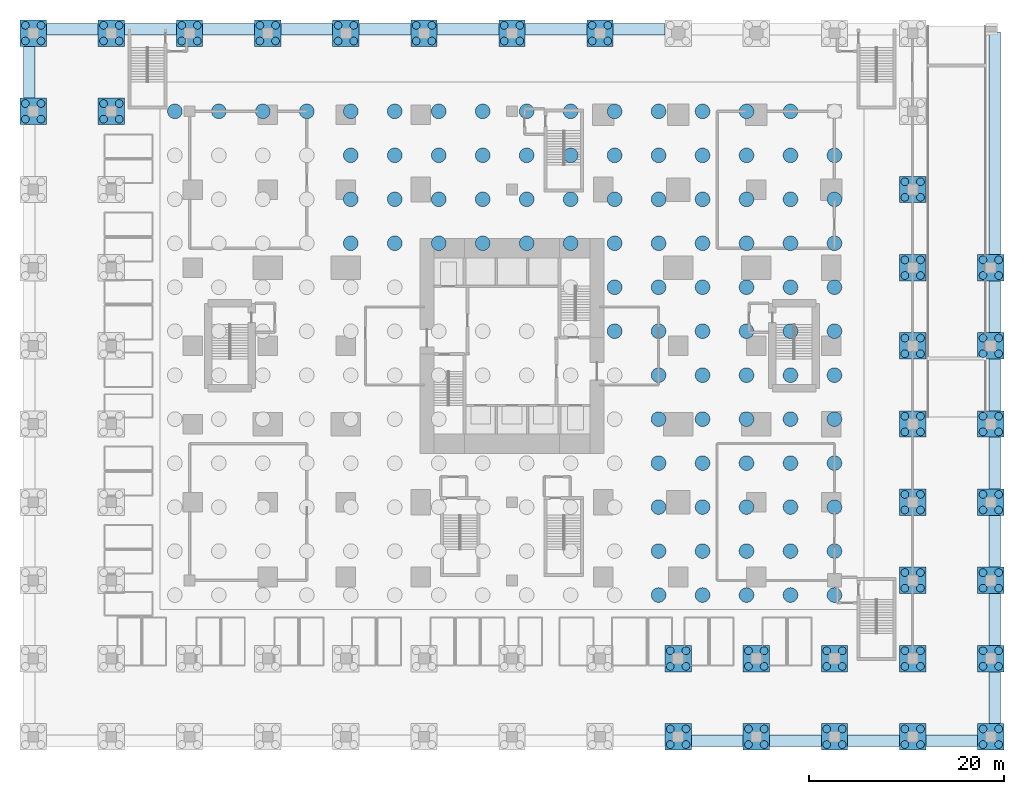
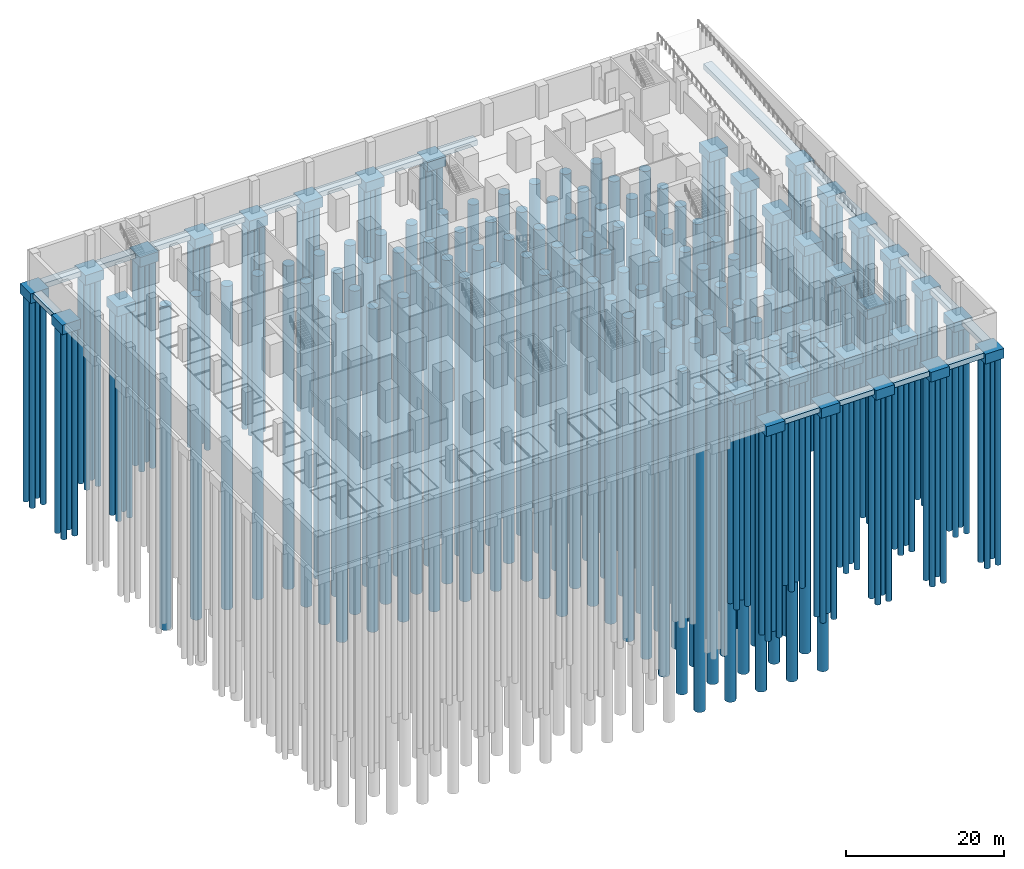
# One storey, part 2 of 17: 217 piles, 51 footings.
"""IFC4 building model written with IfcOpenShell, lengths in metres."""

from ifc_helpers import new_model, si_unit, direction, frame, frame_2d, origin, origin_2d, place, context, subcontext, project, spatial, rectangle, circle, extrude, material, material_profile, profile_set, type_object, element, save


model = new_model("IFC4")

# Units and contexts
model_context = context("Model", 3, precision=1e-05, world=origin(), true_north=direction((0.0, 1.0)))
body_context = subcontext(model_context, "Body", "Model", "MODEL_VIEW")
ifc_project = project(units=[si_unit("LENGTHUNIT", "METRE"), si_unit("AREAUNIT", "SQUARE_METRE"), si_unit("VOLUMEUNIT", "CUBIC_METRE"), si_unit("PLANEANGLEUNIT", "RADIAN"), si_unit("MASSUNIT", "GRAM", prefix="KILO")], contexts=[model_context])

# Site, building, storey
site_placement = place(None, origin())
site = spatial("IfcSite", under=ifc_project, at=site_placement, CompositionType="ELEMENT")
building_placement = place(site_placement, origin())
building = spatial("IfcBuilding", under=site, at=building_placement, Name="Cleftline Residences", CompositionType="ELEMENT")
storey_placement = place(building_placement, frame((0.0, 0.0, -5.0)))
storey = spatial("IfcBuildingStorey", under=building, at=storey_placement, Name="L-01", CompositionType="ELEMENT", Elevation=-5.0)

# Piles
ifc_material_1 = material(Name="Concrete B40", Category="concrete")
ifc_material_profile_1 = material_profile(ifc_material_1, circle(Radius=0.75, at=origin_2d()))
ifc_profile_set_1 = profile_set([ifc_material_profile_1], Name="Concrete B40")
pile_type_1 = type_object("IfcPileType", Name="BORED PILE 1500", PredefinedType="BORED", material=ifc_profile_set_1)
for number, where, z_axis, x_axis, name in (
    (1, (48.0, -1.5, -3.39990234375), (0.0, 0.0, -1.0), (1.0, 0.0, 0.0), "Raft pile"),
    (2, (52.5, -1.5, -3.39990234375), (0.0, 0.0, -1.0), (1.0, 0.0, 0.0), "Raft pile"),
    (3, (57.0, -1.5, -3.39990234375), (0.0, 0.0, -1.0), (1.0, 0.0, 0.0), "Raft pile"),
    (4, (61.5, -1.5, -3.39990234375), (0.0, 0.0, -1.0), (1.0, 0.0, 0.0), "Raft pile"),
    (5, (66.0, -1.5, -3.39990234375), (0.0, 0.0, -1.0), (1.0, 0.0, 0.0), "Raft pile"),
    (6, (48.0, 3.0, -3.39990234375), (0.0, 0.0, -1.0), (1.0, 0.0, 0.0), "Raft pile"),
    (7, (52.5, 3.0, -3.39990234375), (0.0, 0.0, -1.0), (1.0, 0.0, 0.0), "Raft pile"),
    (8, (57.0, 3.0, -3.39990234375), (0.0, 0.0, -1.0), (1.0, 0.0, 0.0), "Raft pile"),
    (9, (61.5, 3.0, -3.39990234375), (0.0, 0.0, -1.0), (1.0, 0.0, 0.0), "Raft pile"),
    (10, (66.0, 3.0, -3.39990234375), (0.0, 0.0, -1.0), (1.0, 0.0, 0.0), "Raft pile"),
    (11, (48.0, 7.5, -3.39990234375), (0.0, 0.0, -1.0), (1.0, 0.0, 0.0), "Raft pile"),
    (12, (52.5, 7.5, -3.39990234375), (0.0, 0.0, -1.0), (1.0, 0.0, 0.0), "Raft pile"),
    (13, (57.0, 7.5, -3.39990234375), (0.0, 0.0, -1.0), (1.0, 0.0, 0.0), "Raft pile"),
    (14, (61.5, 7.5, -3.39990234375), (0.0, 0.0, -1.0), (1.0, 0.0, 0.0), "Raft pile"),
    (15, (66.0, 7.5, -3.39990234375), (0.0, 0.0, -1.0), (1.0, 0.0, 0.0), "Raft pile"),
    (16, (48.0, 12.0, -3.39990234375), (0.0, 0.0, -1.0), (1.0, 0.0, 0.0), "Raft pile"),
    (17, (52.5, 12.0, -3.39990234375), (0.0, 0.0, -1.0), (1.0, 0.0, 0.0), "Raft pile"),
    (18, (57.0, 12.0, -3.39990234375), (0.0, 0.0, -1.0), (1.0, 0.0, 0.0), "Raft pile"),
    (19, (61.5, 12.0, -3.39990234375), (0.0, 0.0, -1.0), (1.0, 0.0, 0.0), "Raft pile"),
    (20, (66.0, 12.0, -3.39990234375), (0.0, 0.0, -1.0), (1.0, 0.0, 0.0), "Raft pile"),
    (21, (48.0, 16.5, -3.39990234375), (0.0, 0.0, -1.0), (1.0, 0.0, 0.0), "Raft pile"),
    (22, (52.5, 16.5, -3.39990234375), (0.0, 0.0, -1.0), (1.0, 0.0, 0.0), "Raft pile"),
    (23, (57.0, 16.5, -3.39990234375), (0.0, 0.0, -1.0), (1.0, 0.0, 0.0), "Raft pile"),
    (24, (61.5, 16.5, -3.39990234375), (0.0, 0.0, -1.0), (1.0, 0.0, 0.0), "Raft pile"),
    (25, (66.0, 16.5, -3.39990234375), (0.0, 0.0, -1.0), (1.0, 0.0, 0.0), "Raft pile"),
    (26, (48.0, 21.0, -3.39990234375), (0.0, 0.0, -1.0), (1.0, 0.0, 0.0), "Raft pile"),
    (27, (52.5, 21.0, -3.39990234375), (0.0, 0.0, -1.0), (1.0, 0.0, 0.0), "Raft pile"),
    (28, (57.0, 21.0, -3.39990234375), (0.0, 0.0, -1.0), (1.0, 0.0, 0.0), "Raft pile"),
    (29, (61.5, 21.0, -3.39990234375), (0.0, 0.0, -1.0), (1.0, 0.0, 0.0), "Raft pile"),
    (30, (66.0, 21.0, -3.39990234375), (0.0, 0.0, -1.0), (1.0, 0.0, 0.0), "Raft pile"),
    (31, (43.5, 25.5, -3.39990234375), (0.0, 0.0, -1.0), (1.0, 0.0, 0.0), "Raft pile"),
    (32, (48.0, 25.5, -3.39990234375), (0.0, 0.0, -1.0), (1.0, 0.0, 0.0), "Raft pile"),
    (33, (52.5, 25.5, -3.39990234375), (0.0, 0.0, -1.0), (1.0, 0.0, 0.0), "Raft pile"),
    (34, (57.0, 25.5, -3.39990234375), (0.0, 0.0, -1.0), (1.0, 0.0, 0.0), "Raft pile"),
    (35, (61.5, 25.5, -3.39990234375), (0.0, 0.0, -1.0), (1.0, 0.0, 0.0), "Raft pile"),
    (36, (66.0, 25.5, -3.39990234375), (0.0, 0.0, -1.0), (1.0, 0.0, 0.0), "Raft pile"),
    (37, (43.5, 30.0, -3.39990234375), (0.0, 0.0, -1.0), (1.0, 0.0, 0.0), "Raft pile"),
    (38, (48.0, 30.0, -3.39990234375), (0.0, 0.0, -1.0), (1.0, 0.0, 0.0), "Raft pile"),
    (39, (52.5, 30.0, -3.39990234375), (0.0, 0.0, -1.0), (1.0, 0.0, 0.0), "Raft pile"),
    (40, (57.0, 30.0, -3.39990234375), (0.0, 0.0, -1.0), (1.0, 0.0, 0.0), "Raft pile"),
    (41, (61.5, 30.0, -3.39990234375), (0.0, 0.0, -1.0), (1.0, 0.0, 0.0), "Raft pile"),
    (42, (66.0, 30.0, -3.39990234375), (0.0, 0.0, -1.0), (1.0, 0.0, 0.0), "Raft pile"),
    (43, (16.5, 34.5, -3.39990234375), (0.0, 0.0, -1.0), (1.0, 0.0, 0.0), "Raft pile"),
    (44, (21.0, 34.5, -3.39990234375), (0.0, 0.0, -1.0), (1.0, 0.0, 0.0), "Raft pile"),
    (45, (25.5, 34.5, -3.39990234375), (0.0, 0.0, -1.0), (1.0, 0.0, 0.0), "Raft pile"),
    (46, (30.0, 34.5, -3.39990234375), (0.0, 0.0, -1.0), (1.0, 0.0, 0.0), "Raft pile"),
    (47, (34.5, 34.5, -3.39990234375), (0.0, 0.0, -1.0), (1.0, 0.0, 0.0), "Raft pile"),
    (48, (39.0, 34.5, -3.39990234375), (0.0, 0.0, -1.0), (1.0, 0.0, 0.0), "Raft pile"),
    (49, (43.5, 34.5, -3.39990234375), (0.0, 0.0, -1.0), (1.0, 0.0, 0.0), "Raft pile"),
    (50, (48.0, 34.5, -3.39990234375), (0.0, 0.0, -1.0), (1.0, 0.0, 0.0), "Raft pile"),
    (51, (52.5, 34.5, -3.39990234375), (0.0, 0.0, -1.0), (1.0, 0.0, 0.0), "Raft pile"),
    (52, (57.0, 34.5, -3.39990234375), (0.0, 0.0, -1.0), (1.0, 0.0, 0.0), "Raft pile"),
    (53, (61.5, 34.5, -3.39990234375), (0.0, 0.0, -1.0), (1.0, 0.0, 0.0), "Raft pile"),
    (54, (66.0, 34.5, -3.39990234375), (0.0, 0.0, -1.0), (1.0, 0.0, 0.0), "Raft pile"),
    (55, (16.5, 39.0, -3.39990234375), (0.0, 0.0, -1.0), (1.0, 0.0, 0.0), "Raft pile"),
    (56, (21.0, 39.0, -3.39990234375), (0.0, 0.0, -1.0), (1.0, 0.0, 0.0), "Raft pile"),
    (57, (25.5, 39.0, -3.39990234375), (0.0, 0.0, -1.0), (1.0, 0.0, 0.0), "Raft pile"),
    (58, (30.0, 39.0, -3.39990234375), (0.0, 0.0, -1.0), (1.0, 0.0, 0.0), "Raft pile"),
    (59, (34.5, 39.0, -3.39990234375), (0.0, 0.0, -1.0), (1.0, 0.0, 0.0), "Raft pile"),
    (60, (39.0, 39.0, -3.39990234375), (0.0, 0.0, -1.0), (1.0, 0.0, 0.0), "Raft pile"),
    (61, (43.5, 39.0, -3.39990234375), (0.0, 0.0, -1.0), (1.0, 0.0, 0.0), "Raft pile"),
    (62, (48.0, 39.0, -3.39990234375), (0.0, 0.0, -1.0), (1.0, 0.0, 0.0), "Raft pile"),
    (63, (52.5, 39.0, -3.39990234375), (0.0, 0.0, -1.0), (1.0, 0.0, 0.0), "Raft pile"),
    (64, (57.0, 39.0, -3.39990234375), (0.0, 0.0, -1.0), (1.0, 0.0, 0.0), "Raft pile"),
    (65, (61.5, 39.0, -3.39990234375), (0.0, 0.0, -1.0), (1.0, 0.0, 0.0), "Raft pile"),
    (66, (66.0, 39.0, -3.39990234375), (0.0, 0.0, -1.0), (1.0, 0.0, 0.0), "Raft pile"),
    (67, (16.5, 43.5, -3.39990234375), (0.0, 0.0, -1.0), (1.0, 0.0, 0.0), "Raft pile"),
    (68, (21.0, 43.5, -3.39990234375), (0.0, 0.0, -1.0), (1.0, 0.0, 0.0), "Raft pile"),
    (69, (25.5, 43.5, -3.39990234375), (0.0, 0.0, -1.0), (1.0, 0.0, 0.0), "Raft pile"),
    (70, (30.0, 43.5, -3.39990234375), (0.0, 0.0, -1.0), (1.0, 0.0, 0.0), "Raft pile"),
    (71, (34.5, 43.5, -3.39990234375), (0.0, 0.0, -1.0), (1.0, 0.0, 0.0), "Raft pile"),
    (72, (39.0, 43.5, -3.39990234375), (0.0, 0.0, -1.0), (1.0, 0.0, 0.0), "Raft pile"),
    (73, (43.5, 43.5, -3.39990234375), (0.0, 0.0, -1.0), (1.0, 0.0, 0.0), "Raft pile"),
    (74, (48.0, 43.5, -3.39990234375), (0.0, 0.0, -1.0), (1.0, 0.0, 0.0), "Raft pile"),
    (75, (52.5, 43.5, -3.39990234375), (0.0, 0.0, -1.0), (1.0, 0.0, 0.0), "Raft pile"),
    (76, (57.0, 43.5, -3.39990234375), (0.0, 0.0, -1.0), (1.0, 0.0, 0.0), "Raft pile"),
    (77, (61.5, 43.5, -3.39990234375), (0.0, 0.0, -1.0), (1.0, 0.0, 0.0), "Raft pile"),
    (78, (66.0, 43.5, -3.39990234375), (0.0, 0.0, -1.0), (1.0, 0.0, 0.0), "Raft pile"),
    (79, (-1.5, 48.0, -3.39990234375), (0.0, 0.0, -1.0), (1.0, 0.0, 0.0), "Raft pile"),
    (80, (3.0, 48.0, -3.39990234375), (0.0, 0.0, -1.0), (1.0, 0.0, 0.0), "Raft pile"),
    (81, (7.5, 48.0, -3.39990234375), (0.0, 0.0, -1.0), (1.0, 0.0, 0.0), "Raft pile"),
    (82, (12.0, 48.0, -3.39990234375), (0.0, 0.0, -1.0), (1.0, 0.0, 0.0), "Raft pile"),
    (83, (16.5, 48.0, -3.39990234375), (0.0, 0.0, -1.0), (1.0, 0.0, 0.0), "Raft pile"),
    (84, (21.0, 48.0, -3.39990234375), (0.0, 0.0, -1.0), (1.0, 0.0, 0.0), "Raft pile"),
    (85, (25.5, 48.0, -3.39990234375), (0.0, 0.0, -1.0), (1.0, 0.0, 0.0), "Raft pile"),
    (86, (30.0, 48.0, -3.39990234375), (0.0, 0.0, -1.0), (1.0, 0.0, 0.0), "Raft pile"),
    (87, (34.5, 48.0, -3.39990234375), (0.0, 0.0, -1.0), (1.0, 0.0, 0.0), "Raft pile"),
    (88, (39.0, 48.0, -3.39990234375), (0.0, 0.0, -1.0), (1.0, 0.0, 0.0), "Raft pile"),
    (89, (43.5, 48.0, -3.39990234375), (0.0, 0.0, -1.0), (1.0, 0.0, 0.0), "Raft pile"),
    (90, (48.0, 48.0, -3.39990234375), (0.0, 0.0, -1.0), (1.0, 0.0, 0.0), "Raft pile"),
    (91, (52.5, 48.0, -3.39990234375), (0.0, 0.0, -1.0), (1.0, 0.0, 0.0), "Raft pile"),
    (92, (57.0, 48.0, -3.39990234375), (0.0, 0.0, -1.0), (1.0, 0.0, 0.0), "Raft pile"),
    (93, (61.5, 48.0, -3.39990234375), (0.0, 0.0, -1.0), (1.0, 0.0, 0.0), "Raft pile"),
):
    element("IfcPile", number, at=place(storey_placement, frame(where, z_axis=z_axis, x_axis=x_axis)), inside=storey, type_object=pile_type_1, Name=name, PredefinedType="BORED", context=body_context, shape_type="SweptSolid", body=[
        extrude(circle(Radius=0.75, at=origin_2d()), origin(), (0.0, 0.0, 1.0), 50.0),
    ])
ifc_material_2 = material(Name="Concrete B40", Category="concrete")
ifc_material_profile_2 = material_profile(ifc_material_2, circle(Radius=0.39990234375, at=origin_2d()))
ifc_profile_set_2 = profile_set([ifc_material_profile_2], Name="Concrete B40")
pile_type_2 = type_object("IfcPileType", Name="BORED PILE 800", PredefinedType="BORED", material=ifc_profile_set_2)
for number, where, z_axis, x_axis, name in (
    (94, (-16.800048828125, 47.199951171875, -1.800048828125), (0.0, 0.0, -1.0), (1.0, 0.0, 0.0), "Cap pile"),
    (95, (-15.199951171875, 47.199951171875, -1.800048828125), (0.0, 0.0, -1.0), (1.0, 0.0, 0.0), "Cap pile"),
    (96, (-16.800048828125, 48.800048828125, -1.800048828125), (0.0, 0.0, -1.0), (1.0, 0.0, 0.0), "Cap pile"),
    (97, (-15.199951171875, 48.800048828125, -1.800048828125), (0.0, 0.0, -1.0), (1.0, 0.0, 0.0), "Cap pile"),
    (98, (-16.800048828125, 55.199951171875, -1.800048828125), (0.0, 0.0, -1.0), (1.0, 0.0, 0.0), "Cap pile"),
    (99, (-15.199951171875, 55.199951171875, -1.800048828125), (0.0, 0.0, -1.0), (1.0, 0.0, 0.0), "Cap pile"),
    (100, (-16.800048828125, 56.800048828125, -1.800048828125), (0.0, 0.0, -1.0), (1.0, 0.0, 0.0), "Cap pile"),
    (101, (-15.199951171875, 56.800048828125, -1.800048828125), (0.0, 0.0, -1.0), (1.0, 0.0, 0.0), "Cap pile"),
    (102, (-8.800048828125, 47.199951171875, -1.800048828125), (0.0, 0.0, -1.0), (1.0, 0.0, 0.0), "Cap pile"),
    (103, (-7.199951171875, 47.199951171875, -1.800048828125), (0.0, 0.0, -1.0), (1.0, 0.0, 0.0), "Cap pile"),
    (104, (-8.800048828125, 48.800048828125, -1.800048828125), (0.0, 0.0, -1.0), (1.0, 0.0, 0.0), "Cap pile"),
    (105, (-7.199951171875, 48.800048828125, -1.800048828125), (0.0, 0.0, -1.0), (1.0, 0.0, 0.0), "Cap pile"),
    (106, (-8.800048828125, 55.199951171875, -1.800048828125), (0.0, 0.0, -1.0), (1.0, 0.0, 0.0), "Cap pile"),
    (107, (-7.199951171875, 55.199951171875, -1.800048828125), (0.0, 0.0, -1.0), (1.0, 0.0, 0.0), "Cap pile"),
    (108, (-8.800048828125, 56.800048828125, -1.800048828125), (0.0, 0.0, -1.0), (1.0, 0.0, 0.0), "Cap pile"),
    (109, (-7.199951171875, 56.800048828125, -1.800048828125), (0.0, 0.0, -1.0), (1.0, 0.0, 0.0), "Cap pile"),
    (110, (-0.800048828125, 55.199951171875, -1.800048828125), (0.0, 0.0, -1.0), (1.0, 0.0, 0.0), "Cap pile"),
    (111, (0.800048828125, 55.199951171875, -1.800048828125), (0.0, 0.0, -1.0), (1.0, 0.0, 0.0), "Cap pile"),
    (112, (-0.800048828125, 56.800048828125, -1.800048828125), (0.0, 0.0, -1.0), (1.0, 0.0, 0.0), "Cap pile"),
    (113, (0.800048828125, 56.800048828125, -1.800048828125), (0.0, 0.0, -1.0), (1.0, 0.0, 0.0), "Cap pile"),
    (114, (7.199951171875, 55.199951171875, -1.800048828125), (0.0, 0.0, -1.0), (1.0, 0.0, 0.0), "Cap pile"),
    (115, (8.800048828125, 55.199951171875, -1.800048828125), (0.0, 0.0, -1.0), (1.0, 0.0, 0.0), "Cap pile"),
    (116, (7.199951171875, 56.800048828125, -1.800048828125), (0.0, 0.0, -1.0), (1.0, 0.0, 0.0), "Cap pile"),
    (117, (8.800048828125, 56.800048828125, -1.800048828125), (0.0, 0.0, -1.0), (1.0, 0.0, 0.0), "Cap pile"),
    (118, (15.199951171875, 55.199951171875, -1.800048828125), (0.0, 0.0, -1.0), (1.0, 0.0, 0.0), "Cap pile"),
    (119, (16.800048828125, 55.199951171875, -1.800048828125), (0.0, 0.0, -1.0), (1.0, 0.0, 0.0), "Cap pile"),
    (120, (15.199951171875, 56.800048828125, -1.800048828125), (0.0, 0.0, -1.0), (1.0, 0.0, 0.0), "Cap pile"),
    (121, (16.800048828125, 56.800048828125, -1.800048828125), (0.0, 0.0, -1.0), (1.0, 0.0, 0.0), "Cap pile"),
    (122, (23.199951171875, 55.199951171875, -1.800048828125), (0.0, 0.0, -1.0), (1.0, 0.0, 0.0), "Cap pile"),
    (123, (24.800048828125, 55.199951171875, -1.800048828125), (0.0, 0.0, -1.0), (1.0, 0.0, 0.0), "Cap pile"),
    (124, (23.199951171875, 56.800048828125, -1.800048828125), (0.0, 0.0, -1.0), (1.0, 0.0, 0.0), "Cap pile"),
    (125, (24.800048828125, 56.800048828125, -1.800048828125), (0.0, 0.0, -1.0), (1.0, 0.0, 0.0), "Cap pile"),
    (126, (32.199951171875, 55.199951171875, -1.800048828125), (0.0, 0.0, -1.0), (1.0, 0.0, 0.0), "Cap pile"),
    (127, (33.800048828125, 55.199951171875, -1.800048828125), (0.0, 0.0, -1.0), (1.0, 0.0, 0.0), "Cap pile"),
    (128, (32.199951171875, 56.800048828125, -1.800048828125), (0.0, 0.0, -1.0), (1.0, 0.0, 0.0), "Cap pile"),
    (129, (33.800048828125, 56.800048828125, -1.800048828125), (0.0, 0.0, -1.0), (1.0, 0.0, 0.0), "Cap pile"),
    (130, (41.199951171875, 55.199951171875, -1.800048828125), (0.0, 0.0, -1.0), (1.0, 0.0, 0.0), "Cap pile"),
    (131, (42.800048828125, 55.199951171875, -1.800048828125), (0.0, 0.0, -1.0), (1.0, 0.0, 0.0), "Cap pile"),
    (132, (41.199951171875, 56.800048828125, -1.800048828125), (0.0, 0.0, -1.0), (1.0, 0.0, 0.0), "Cap pile"),
    (133, (42.800048828125, 56.800048828125, -1.800048828125), (0.0, 0.0, -1.0), (1.0, 0.0, 0.0), "Cap pile"),
    (134, (49.199951171875, -16.800048828125, -1.800048828125), (0.0, 0.0, -1.0), (1.0, 0.0, 0.0), "Cap pile"),
    (135, (50.800048828125, -16.800048828125, -1.800048828125), (0.0, 0.0, -1.0), (1.0, 0.0, 0.0), "Cap pile"),
    (136, (49.199951171875, -15.199951171875, -1.800048828125), (0.0, 0.0, -1.0), (1.0, 0.0, 0.0), "Cap pile"),
    (137, (50.800048828125, -15.199951171875, -1.800048828125), (0.0, 0.0, -1.0), (1.0, 0.0, 0.0), "Cap pile"),
    (138, (49.199951171875, -8.800048828125, -1.800048828125), (0.0, 0.0, -1.0), (1.0, 0.0, 0.0), "Cap pile"),
    (139, (50.800048828125, -8.800048828125, -1.800048828125), (0.0, 0.0, -1.0), (1.0, 0.0, 0.0), "Cap pile"),
    (140, (49.199951171875, -7.199951171875, -1.800048828125), (0.0, 0.0, -1.0), (1.0, 0.0, 0.0), "Cap pile"),
    (141, (50.800048828125, -7.199951171875, -1.800048828125), (0.0, 0.0, -1.0), (1.0, 0.0, 0.0), "Cap pile"),
    (142, (57.199951171875, -16.800048828125, -1.800048828125), (0.0, 0.0, -1.0), (1.0, 0.0, 0.0), "Cap pile"),
    (143, (58.800048828125, -16.800048828125, -1.800048828125), (0.0, 0.0, -1.0), (1.0, 0.0, 0.0), "Cap pile"),
    (144, (57.199951171875, -15.199951171875, -1.800048828125), (0.0, 0.0, -1.0), (1.0, 0.0, 0.0), "Cap pile"),
    (145, (58.800048828125, -15.199951171875, -1.800048828125), (0.0, 0.0, -1.0), (1.0, 0.0, 0.0), "Cap pile"),
    (146, (57.199951171875, -8.800048828125, -1.800048828125), (0.0, 0.0, -1.0), (1.0, 0.0, 0.0), "Cap pile"),
    (147, (58.800048828125, -8.800048828125, -1.800048828125), (0.0, 0.0, -1.0), (1.0, 0.0, 0.0), "Cap pile"),
    (148, (57.199951171875, -7.199951171875, -1.800048828125), (0.0, 0.0, -1.0), (1.0, 0.0, 0.0), "Cap pile"),
    (149, (58.800048828125, -7.199951171875, -1.800048828125), (0.0, 0.0, -1.0), (1.0, 0.0, 0.0), "Cap pile"),
    (150, (65.199951171875, -16.800048828125, -1.800048828125), (0.0, 0.0, -1.0), (1.0, 0.0, 0.0), "Cap pile"),
    (151, (66.800048828125, -16.800048828125, -1.800048828125), (0.0, 0.0, -1.0), (1.0, 0.0, 0.0), "Cap pile"),
    (152, (65.199951171875, -15.199951171875, -1.800048828125), (0.0, 0.0, -1.0), (1.0, 0.0, 0.0), "Cap pile"),
    (153, (66.800048828125, -15.199951171875, -1.800048828125), (0.0, 0.0, -1.0), (1.0, 0.0, 0.0), "Cap pile"),
    (154, (65.199951171875, -8.800048828125, -1.800048828125), (0.0, 0.0, -1.0), (1.0, 0.0, 0.0), "Cap pile"),
    (155, (66.800048828125, -8.800048828125, -1.800048828125), (0.0, 0.0, -1.0), (1.0, 0.0, 0.0), "Cap pile"),
    (156, (65.199951171875, -7.199951171875, -1.800048828125), (0.0, 0.0, -1.0), (1.0, 0.0, 0.0), "Cap pile"),
    (157, (66.800048828125, -7.199951171875, -1.800048828125), (0.0, 0.0, -1.0), (1.0, 0.0, 0.0), "Cap pile"),
    (158, (73.199951171875, -16.800048828125, -1.800048828125), (0.0, 0.0, -1.0), (1.0, 0.0, 0.0), "Cap pile"),
    (159, (74.800048828125, -16.800048828125, -1.800048828125), (0.0, 0.0, -1.0), (1.0, 0.0, 0.0), "Cap pile"),
    (160, (73.199951171875, -15.199951171875, -1.800048828125), (0.0, 0.0, -1.0), (1.0, 0.0, 0.0), "Cap pile"),
    (161, (74.800048828125, -15.199951171875, -1.800048828125), (0.0, 0.0, -1.0), (1.0, 0.0, 0.0), "Cap pile"),
    (162, (73.199951171875, -8.800048828125, -1.800048828125), (0.0, 0.0, -1.0), (1.0, 0.0, 0.0), "Cap pile"),
    (163, (74.800048828125, -8.800048828125, -1.800048828125), (0.0, 0.0, -1.0), (1.0, 0.0, 0.0), "Cap pile"),
    (164, (73.199951171875, -7.199951171875, -1.800048828125), (0.0, 0.0, -1.0), (1.0, 0.0, 0.0), "Cap pile"),
    (165, (74.800048828125, -7.199951171875, -1.800048828125), (0.0, 0.0, -1.0), (1.0, 0.0, 0.0), "Cap pile"),
    (166, (73.199951171875, -0.800048828125, -1.800048828125), (0.0, 0.0, -1.0), (1.0, 0.0, 0.0), "Cap pile"),
    (167, (74.800048828125, -0.800048828125, -1.800048828125), (0.0, 0.0, -1.0), (1.0, 0.0, 0.0), "Cap pile"),
    (168, (73.199951171875, 0.800048828125, -1.800048828125), (0.0, 0.0, -1.0), (1.0, 0.0, 0.0), "Cap pile"),
    (169, (74.800048828125, 0.800048828125, -1.800048828125), (0.0, 0.0, -1.0), (1.0, 0.0, 0.0), "Cap pile"),
    (170, (73.199951171875, 7.199951171875, -1.800048828125), (0.0, 0.0, -1.0), (1.0, 0.0, 0.0), "Cap pile"),
    (171, (74.800048828125, 7.199951171875, -1.800048828125), (0.0, 0.0, -1.0), (1.0, 0.0, 0.0), "Cap pile"),
    (172, (73.199951171875, 8.800048828125, -1.800048828125), (0.0, 0.0, -1.0), (1.0, 0.0, 0.0), "Cap pile"),
    (173, (74.800048828125, 8.800048828125, -1.800048828125), (0.0, 0.0, -1.0), (1.0, 0.0, 0.0), "Cap pile"),
    (174, (73.199951171875, 15.199951171875, -1.800048828125), (0.0, 0.0, -1.0), (1.0, 0.0, 0.0), "Cap pile"),
    (175, (74.800048828125, 15.199951171875, -1.800048828125), (0.0, 0.0, -1.0), (1.0, 0.0, 0.0), "Cap pile"),
    (176, (73.199951171875, 16.800048828125, -1.800048828125), (0.0, 0.0, -1.0), (1.0, 0.0, 0.0), "Cap pile"),
    (177, (74.800048828125, 16.800048828125, -1.800048828125), (0.0, 0.0, -1.0), (1.0, 0.0, 0.0), "Cap pile"),
    (178, (73.199951171875, 23.199951171875, -1.800048828125), (0.0, 0.0, -1.0), (1.0, 0.0, 0.0), "Cap pile"),
    (179, (74.800048828125, 23.199951171875, -1.800048828125), (0.0, 0.0, -1.0), (1.0, 0.0, 0.0), "Cap pile"),
    (180, (73.199951171875, 24.800048828125, -1.800048828125), (0.0, 0.0, -1.0), (1.0, 0.0, 0.0), "Cap pile"),
    (181, (74.800048828125, 24.800048828125, -1.800048828125), (0.0, 0.0, -1.0), (1.0, 0.0, 0.0), "Cap pile"),
    (182, (73.199951171875, 31.199951171875, -1.800048828125), (0.0, 0.0, -1.0), (1.0, 0.0, 0.0), "Cap pile"),
    (183, (74.800048828125, 31.199951171875, -1.800048828125), (0.0, 0.0, -1.0), (1.0, 0.0, 0.0), "Cap pile"),
    (184, (73.199951171875, 32.800048828125, -1.800048828125), (0.0, 0.0, -1.0), (1.0, 0.0, 0.0), "Cap pile"),
    (185, (74.800048828125, 32.800048828125, -1.800048828125), (0.0, 0.0, -1.0), (1.0, 0.0, 0.0), "Cap pile"),
    (186, (73.199951171875, 39.199951171875, -1.800048828125), (0.0, 0.0, -1.0), (1.0, 0.0, 0.0), "Cap pile"),
    (187, (74.800048828125, 39.199951171875, -1.800048828125), (0.0, 0.0, -1.0), (1.0, 0.0, 0.0), "Cap pile"),
    (188, (73.199951171875, 40.800048828125, -1.800048828125), (0.0, 0.0, -1.0), (1.0, 0.0, 0.0), "Cap pile"),
    (189, (74.800048828125, 40.800048828125, -1.800048828125), (0.0, 0.0, -1.0), (1.0, 0.0, 0.0), "Cap pile"),
    (190, (81.199951171875, -16.800048828125, -1.800048828125), (0.0, 0.0, -1.0), (1.0, 0.0, 0.0), "Cap pile"),
    (191, (82.800048828125, -16.800048828125, -1.800048828125), (0.0, 0.0, -1.0), (1.0, 0.0, 0.0), "Cap pile"),
    (192, (81.199951171875, -15.199951171875, -1.800048828125), (0.0, 0.0, -1.0), (1.0, 0.0, 0.0), "Cap pile"),
    (193, (82.800048828125, -15.199951171875, -1.800048828125), (0.0, 0.0, -1.0), (1.0, 0.0, 0.0), "Cap pile"),
    (194, (81.199951171875, -8.800048828125, -1.800048828125), (0.0, 0.0, -1.0), (1.0, 0.0, 0.0), "Cap pile"),
    (195, (82.800048828125, -8.800048828125, -1.800048828125), (0.0, 0.0, -1.0), (1.0, 0.0, 0.0), "Cap pile"),
    (196, (81.199951171875, -7.199951171875, -1.800048828125), (0.0, 0.0, -1.0), (1.0, 0.0, 0.0), "Cap pile"),
    (197, (82.800048828125, -7.199951171875, -1.800048828125), (0.0, 0.0, -1.0), (1.0, 0.0, 0.0), "Cap pile"),
    (198, (81.199951171875, -0.800048828125, -1.800048828125), (0.0, 0.0, -1.0), (1.0, 0.0, 0.0), "Cap pile"),
    (199, (82.800048828125, -0.800048828125, -1.800048828125), (0.0, 0.0, -1.0), (1.0, 0.0, 0.0), "Cap pile"),
    (200, (81.199951171875, 0.800048828125, -1.800048828125), (0.0, 0.0, -1.0), (1.0, 0.0, 0.0), "Cap pile"),
    (201, (82.800048828125, 0.800048828125, -1.800048828125), (0.0, 0.0, -1.0), (1.0, 0.0, 0.0), "Cap pile"),
    (202, (81.199951171875, 7.199951171875, -1.800048828125), (0.0, 0.0, -1.0), (1.0, 0.0, 0.0), "Cap pile"),
    (203, (82.800048828125, 7.199951171875, -1.800048828125), (0.0, 0.0, -1.0), (1.0, 0.0, 0.0), "Cap pile"),
    (204, (81.199951171875, 8.800048828125, -1.800048828125), (0.0, 0.0, -1.0), (1.0, 0.0, 0.0), "Cap pile"),
    (205, (82.800048828125, 8.800048828125, -1.800048828125), (0.0, 0.0, -1.0), (1.0, 0.0, 0.0), "Cap pile"),
    (206, (81.199951171875, 15.199951171875, -1.800048828125), (0.0, 0.0, -1.0), (1.0, 0.0, 0.0), "Cap pile"),
    (207, (82.800048828125, 15.199951171875, -1.800048828125), (0.0, 0.0, -1.0), (1.0, 0.0, 0.0), "Cap pile"),
    (208, (81.199951171875, 16.800048828125, -1.800048828125), (0.0, 0.0, -1.0), (1.0, 0.0, 0.0), "Cap pile"),
    (209, (82.800048828125, 16.800048828125, -1.800048828125), (0.0, 0.0, -1.0), (1.0, 0.0, 0.0), "Cap pile"),
    (210, (81.199951171875, 23.199951171875, -1.800048828125), (0.0, 0.0, -1.0), (1.0, 0.0, 0.0), "Cap pile"),
    (211, (82.800048828125, 23.199951171875, -1.800048828125), (0.0, 0.0, -1.0), (1.0, 0.0, 0.0), "Cap pile"),
    (212, (81.199951171875, 24.800048828125, -1.800048828125), (0.0, 0.0, -1.0), (1.0, 0.0, 0.0), "Cap pile"),
    (213, (82.800048828125, 24.800048828125, -1.800048828125), (0.0, 0.0, -1.0), (1.0, 0.0, 0.0), "Cap pile"),
    (214, (81.199951171875, 31.199951171875, -1.800048828125), (0.0, 0.0, -1.0), (1.0, 0.0, 0.0), "Cap pile"),
    (215, (82.800048828125, 31.199951171875, -1.800048828125), (0.0, 0.0, -1.0), (1.0, 0.0, 0.0), "Cap pile"),
    (216, (81.199951171875, 32.800048828125, -1.800048828125), (0.0, 0.0, -1.0), (1.0, 0.0, 0.0), "Cap pile"),
    (217, (82.800048828125, 32.800048828125, -1.800048828125), (0.0, 0.0, -1.0), (1.0, 0.0, 0.0), "Cap pile"),
):
    element("IfcPile", number, at=place(storey_placement, frame(where, z_axis=z_axis, x_axis=x_axis)), inside=storey, type_object=pile_type_2, Name=name, PredefinedType="BORED", context=body_context, shape_type="SweptSolid", body=[
        extrude(circle(Radius=0.39990234375, at=origin_2d()), origin(), (0.0, 0.0, 1.0), 32.0),
    ])

# Footings
ifc_material_3 = material(Name="Concrete B40", Category="concrete")
footing_type_1 = type_object("IfcFootingType", Name="PILE CAP 2700", PredefinedType="PILE_CAP", material=ifc_material_3)
for number, where, z_axis, x_axis, name in (
    (218, (-16.0, 48.0, -1.89990234375), (0.0, 0.0, 1.0), (1.0, 0.0, 0.0), "Pile cap"),
    (219, (-16.0, 56.0, -1.89990234375), (0.0, 0.0, 1.0), (1.0, 0.0, 0.0), "Pile cap"),
    (220, (-8.0, 48.0, -1.89990234375), (0.0, 0.0, 1.0), (1.0, 0.0, 0.0), "Pile cap"),
    (221, (-8.0, 56.0, -1.89990234375), (0.0, 0.0, 1.0), (1.0, 0.0, 0.0), "Pile cap"),
    (222, (0.0, 56.0, -1.89990234375), (0.0, 0.0, 1.0), (1.0, 0.0, 0.0), "Pile cap"),
    (223, (8.0, 56.0, -1.89990234375), (0.0, 0.0, 1.0), (1.0, 0.0, 0.0), "Pile cap"),
    (224, (16.0, 56.0, -1.89990234375), (0.0, 0.0, 1.0), (1.0, 0.0, 0.0), "Pile cap"),
    (225, (24.0, 56.0, -1.89990234375), (0.0, 0.0, 1.0), (1.0, 0.0, 0.0), "Pile cap"),
    (226, (33.0, 56.0, -1.89990234375), (0.0, 0.0, 1.0), (1.0, 0.0, 0.0), "Pile cap"),
    (227, (42.0, 56.0, -1.89990234375), (0.0, 0.0, 1.0), (1.0, 0.0, 0.0), "Pile cap"),
    (228, (50.0, -16.0, -1.89990234375), (0.0, 0.0, 1.0), (1.0, 0.0, 0.0), "Pile cap"),
    (229, (50.0, -8.0, -1.89990234375), (0.0, 0.0, 1.0), (1.0, 0.0, 0.0), "Pile cap"),
    (230, (58.0, -16.0, -1.89990234375), (0.0, 0.0, 1.0), (1.0, 0.0, 0.0), "Pile cap"),
    (231, (58.0, -8.0, -1.89990234375), (0.0, 0.0, 1.0), (1.0, 0.0, 0.0), "Pile cap"),
    (232, (66.0, -16.0, -1.89990234375), (0.0, 0.0, 1.0), (1.0, 0.0, 0.0), "Pile cap"),
    (233, (66.0, -8.0, -1.89990234375), (0.0, 0.0, 1.0), (1.0, 0.0, 0.0), "Pile cap"),
    (234, (74.0, -16.0, -1.89990234375), (0.0, 0.0, 1.0), (1.0, 0.0, 0.0), "Pile cap"),
    (235, (74.0, -8.0, -1.89990234375), (0.0, 0.0, 1.0), (1.0, 0.0, 0.0), "Pile cap"),
    (236, (74.0, 0.0, -1.89990234375), (0.0, 0.0, 1.0), (1.0, 0.0, 0.0), "Pile cap"),
    (237, (74.0, 8.0, -1.89990234375), (0.0, 0.0, 1.0), (1.0, 0.0, 0.0), "Pile cap"),
    (238, (74.0, 16.0, -1.89990234375), (0.0, 0.0, 1.0), (1.0, 0.0, 0.0), "Pile cap"),
    (239, (74.0, 24.0, -1.89990234375), (0.0, 0.0, 1.0), (1.0, 0.0, 0.0), "Pile cap"),
    (240, (74.0, 32.0, -1.89990234375), (0.0, 0.0, 1.0), (1.0, 0.0, 0.0), "Pile cap"),
    (241, (74.0, 40.0, -1.89990234375), (0.0, 0.0, 1.0), (1.0, 0.0, 0.0), "Pile cap"),
    (242, (82.0, -16.0, -1.89990234375), (0.0, 0.0, 1.0), (1.0, 0.0, 0.0), "Pile cap"),
    (243, (82.0, -8.0, -1.89990234375), (0.0, 0.0, 1.0), (1.0, 0.0, 0.0), "Pile cap"),
    (244, (82.0, 0.0, -1.89990234375), (0.0, 0.0, 1.0), (1.0, 0.0, 0.0), "Pile cap"),
    (245, (82.0, 8.0, -1.89990234375), (0.0, 0.0, 1.0), (1.0, 0.0, 0.0), "Pile cap"),
    (246, (82.0, 16.0, -1.89990234375), (0.0, 0.0, 1.0), (1.0, 0.0, 0.0), "Pile cap"),
    (247, (82.0, 24.0, -1.89990234375), (0.0, 0.0, 1.0), (1.0, 0.0, 0.0), "Pile cap"),
    (248, (82.0, 32.0, -1.89990234375), (0.0, 0.0, 1.0), (1.0, 0.0, 0.0), "Pile cap"),
):
    element("IfcFooting", number, at=place(storey_placement, frame(where, z_axis=z_axis, x_axis=x_axis)), inside=storey, type_object=footing_type_1, Name=name, PredefinedType="PILE_CAP", context=body_context, shape_type="SweptSolid", body=[
        extrude(rectangle(XDim=2.699951171875, YDim=2.699951171875, at=origin_2d()), origin(), (0.0, 0.0, 1.0), 1.5),
    ])
ifc_material_4 = material(Name="Concrete B40", Category="concrete")
footing_type_2 = type_object("IfcFootingType", Name="STRIP FOOTING 1200", PredefinedType="STRIP_FOOTING", material=ifc_material_4)
for number, where, z_axis, x_axis, name in (
    (249, (51.35009765625, -16.39990234375, -1.199951171875), (0.0, 0.0, 1.0), (1.0, 0.0, 0.0), "Strip footing under retaining wall"),
    (250, (59.35009765625, -16.39990234375, -1.199951171875), (0.0, 0.0, 1.0), (1.0, 0.0, 0.0), "Strip footing under retaining wall"),
    (251, (67.35009765625, -16.39990234375, -1.199951171875), (0.0, 0.0, 1.0), (1.0, 0.0, 0.0), "Strip footing under retaining wall"),
    (252, (75.35009765625, -16.39990234375, -1.199951171875), (0.0, 0.0, 1.0), (1.0, 0.0, 0.0), "Strip footing under retaining wall"),
    (253, (-16.39990234375, 49.35009765625, -1.199951171875), (0.0, 0.0, 1.0), (0.0, 1.0, 0.0), "Strip footing under retaining wall"),
    (254, (82.39990234375, -14.64990234375, -1.199951171875), (0.0, 0.0, 1.0), (0.0, 1.0, 0.0), "Strip footing under retaining wall"),
    (255, (82.39990234375, -6.64990234375, -1.199951171875), (0.0, 0.0, 1.0), (0.0, 1.0, 0.0), "Strip footing under retaining wall"),
    (256, (82.39990234375, 1.35009765625, -1.199951171875), (0.0, 0.0, 1.0), (0.0, 1.0, 0.0), "Strip footing under retaining wall"),
    (257, (82.39990234375, 9.35009765625, -1.199951171875), (0.0, 0.0, 1.0), (0.0, 1.0, 0.0), "Strip footing under retaining wall"),
    (258, (82.39990234375, 17.35009765625, -1.199951171875), (0.0, 0.0, 1.0), (0.0, 1.0, 0.0), "Strip footing under retaining wall"),
    (259, (82.39990234375, 25.35009765625, -1.199951171875), (0.0, 0.0, 1.0), (0.0, 1.0, 0.0), "Strip footing under retaining wall"),
):
    element("IfcFooting", number, at=place(storey_placement, frame(where, z_axis=z_axis, x_axis=x_axis)), inside=storey, type_object=footing_type_2, Name=name, PredefinedType="STRIP_FOOTING", context=body_context, shape_type="SweptSolid", body=[
        extrude(rectangle(XDim=5.2998046875, YDim=1.199951171875, at=frame_2d((2.64990234375, 0.0))), origin(), (0.0, 0.0, 1.0), 0.800048828125),
    ])
footing_1_placement = place(storey_placement, frame((82.39990234375, 33.35009765625, -1.199951171875), z_axis=(0.0, 0.0, 1.0), x_axis=(0.0, 1.0, 0.0)))
element("IfcFooting", 260, at=footing_1_placement, inside=storey, type_object=footing_type_2, Name="Strip footing under retaining wall", PredefinedType="STRIP_FOOTING", context=body_context, shape_type="SweptSolid", body=[
    extrude(rectangle(XDim=22.75, YDim=1.199951171875, at=frame_2d((11.375, 0.0))), origin(), (0.0, 0.0, 1.0), 0.800048828125),
])
for number, where, z_axis, x_axis, name in (
    (261, (-14.64990234375, 56.39990234375, -1.199951171875), (0.0, 0.0, 1.0), (1.0, 0.0, 0.0), "Strip footing under retaining wall"),
    (262, (-6.64990234375, 56.39990234375, -1.199951171875), (0.0, 0.0, 1.0), (1.0, 0.0, 0.0), "Strip footing under retaining wall"),
    (263, (1.35009765625, 56.39990234375, -1.199951171875), (0.0, 0.0, 1.0), (1.0, 0.0, 0.0), "Strip footing under retaining wall"),
    (264, (9.35009765625, 56.39990234375, -1.199951171875), (0.0, 0.0, 1.0), (1.0, 0.0, 0.0), "Strip footing under retaining wall"),
    (265, (17.35009765625, 56.39990234375, -1.199951171875), (0.0, 0.0, 1.0), (1.0, 0.0, 0.0), "Strip footing under retaining wall"),
):
    element("IfcFooting", number, at=place(storey_placement, frame(where, z_axis=z_axis, x_axis=x_axis)), inside=storey, type_object=footing_type_2, Name=name, PredefinedType="STRIP_FOOTING", context=body_context, shape_type="SweptSolid", body=[
        extrude(rectangle(XDim=5.2998046875, YDim=1.199951171875, at=frame_2d((2.64990234375, 0.0))), origin(), (0.0, 0.0, 1.0), 0.800048828125),
    ])
for number, where, z_axis, x_axis, name in (
    (266, (25.35009765625, 56.39990234375, -1.199951171875), (0.0, 0.0, 1.0), (1.0, 0.0, 0.0), "Strip footing under retaining wall"),
    (267, (34.35009765625, 56.39990234375, -1.199951171875), (0.0, 0.0, 1.0), (1.0, 0.0, 0.0), "Strip footing under retaining wall"),
):
    element("IfcFooting", number, at=place(storey_placement, frame(where, z_axis=z_axis, x_axis=x_axis)), inside=storey, type_object=footing_type_2, Name=name, PredefinedType="STRIP_FOOTING", context=body_context, shape_type="SweptSolid", body=[
        extrude(rectangle(XDim=6.2998046875, YDim=1.199951171875, at=frame_2d((3.14990234375, 0.0))), origin(), (0.0, 0.0, 1.0), 0.800048828125),
    ])
footing_2_placement = place(storey_placement, frame((43.35009765625, 56.39990234375, -1.199951171875), z_axis=(0.0, 0.0, 1.0), x_axis=(1.0, 0.0, 0.0)))
element("IfcFooting", 268, at=footing_2_placement, inside=storey, type_object=footing_type_2, Name="Strip footing under retaining wall", PredefinedType="STRIP_FOOTING", context=body_context, shape_type="SweptSolid", body=[
    extrude(rectangle(XDim=5.2998046875, YDim=1.199951171875, at=frame_2d((2.64990234375, 0.0))), origin(), (0.0, 0.0, 1.0), 0.800048828125),
])

save(model, "model.ifc")
